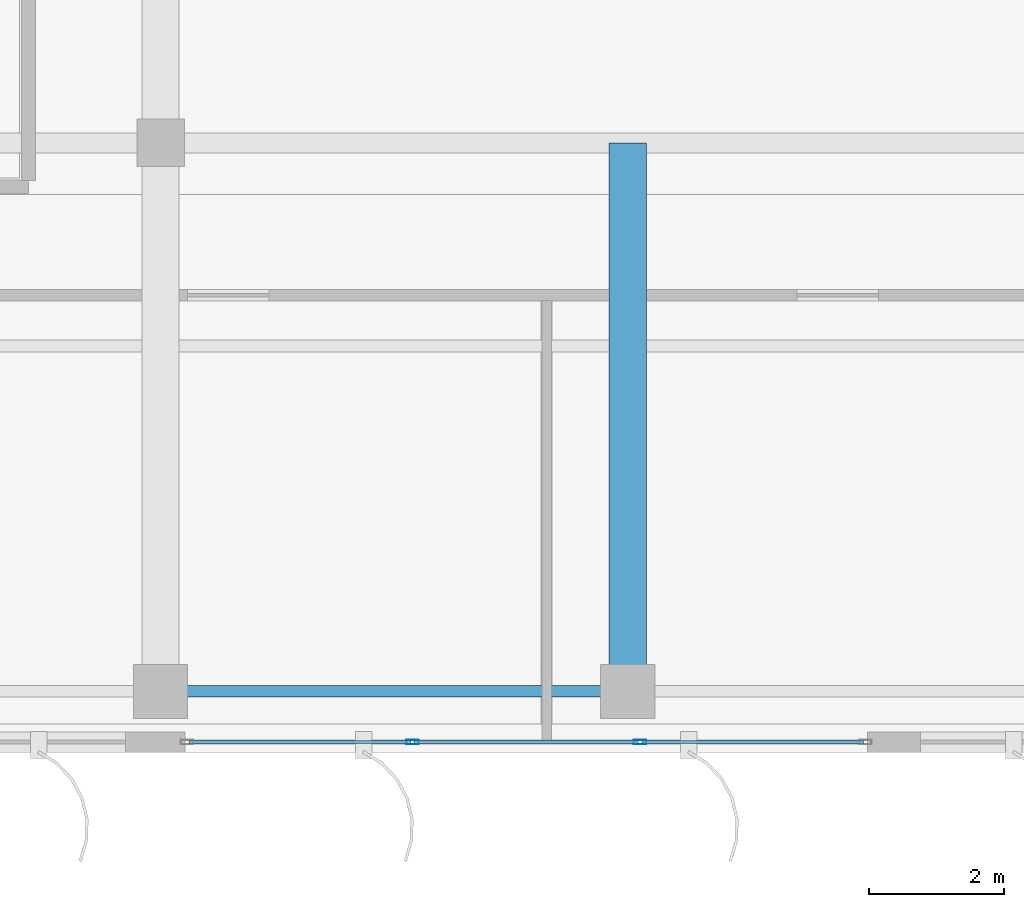
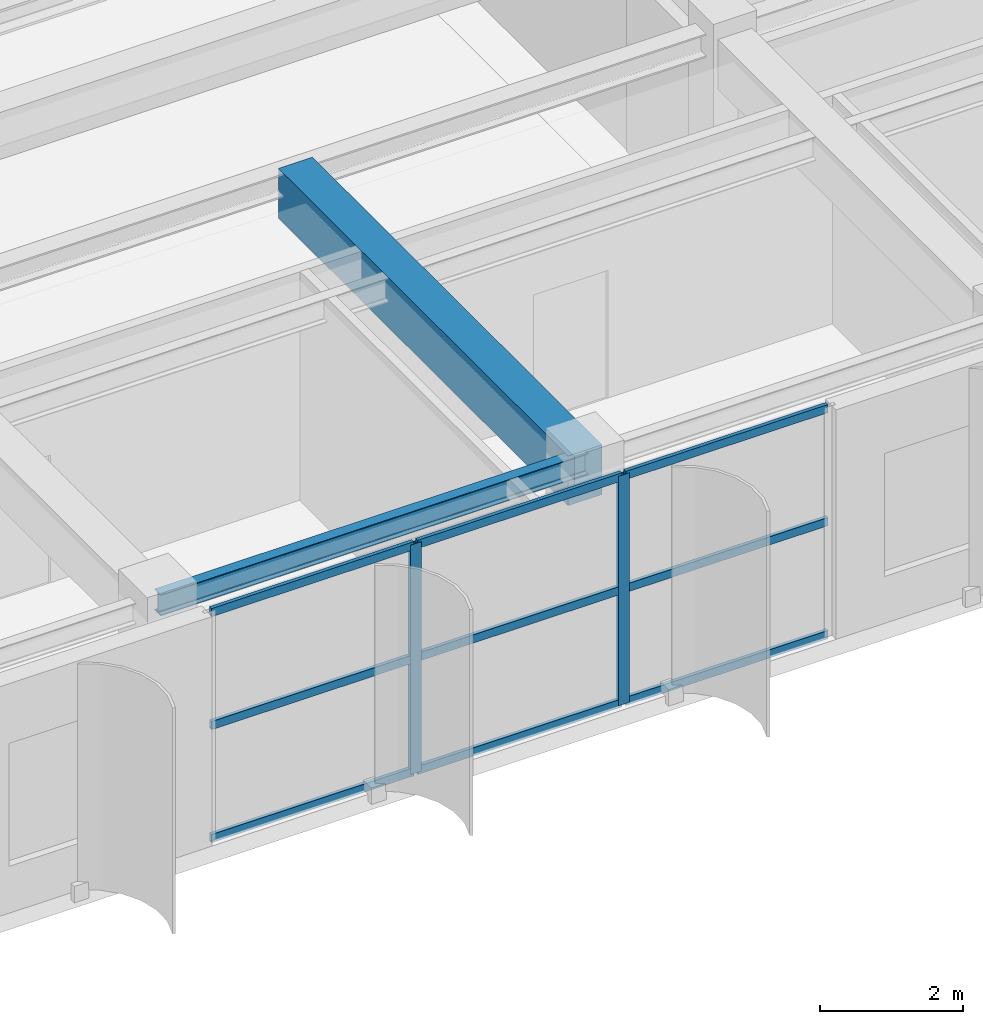
# One storey, part 5 of 26: 11 members, 2 beams, 1 element without a shape of its own.
"""IFC4 building model written with IfcOpenShell, lengths in metres."""

from ifc_helpers import new_model, si_unit, direction, frame, origin, origin_2d, place, context, subcontext, project, spatial, rectangle, hollow_rectangle, i_section, extrude, source, transform, mapped, material, layer, layer_set, material_profile, profile_set, type_object, element, aggregate, save


model = new_model("IFC4")

# Units and contexts
model_context = context("Model", 3, precision=1e-05, world=origin(), true_north=direction((0.0, 1.0)))
body_context = subcontext(model_context, "Body", "Model", "MODEL_VIEW")
ifc_project = project(units=[si_unit("LENGTHUNIT", "METRE"), si_unit("AREAUNIT", "SQUARE_METRE"), si_unit("VOLUMEUNIT", "CUBIC_METRE"), si_unit("PLANEANGLEUNIT", "RADIAN"), si_unit("MASSUNIT", "GRAM", prefix="KILO")], contexts=[model_context])

# Site, building, storey
site_placement = place(None, origin())
site = spatial("IfcSite", under=ifc_project, at=site_placement, CompositionType="ELEMENT")
building_placement = place(site_placement, origin())
building = spatial("IfcBuilding", under=site, at=building_placement, Name="Khoralis Quay Care Tower", CompositionType="ELEMENT")
storey_placement = place(building_placement, frame((0.0, 0.0, 289.5)))
storey = spatial("IfcBuildingStorey", under=building, at=storey_placement, Name="L76", CompositionType="ELEMENT", Elevation=289.5)

# Beams
ifc_material_1 = material(Name="Concrete C50/60", Category="concrete")
ifc_material_profile_1 = material_profile(ifc_material_1, rectangle(XDim=0.550048828125, YDim=0.85009765625, at=origin_2d()), Name="Concrete C50/60")
ifc_profile_set_1 = profile_set([ifc_material_profile_1], Name="Concrete C50/60")
beam_type_1 = type_object("IfcBeamType", Name="BM-RC550X850", PredefinedType="BEAM", material=ifc_profile_set_1)
shared_shape_1 = source(origin(), body_context, "Body", "SweptSolid", [
    extrude(rectangle(XDim=0.550048828125, YDim=0.85009765625, at=origin_2d()), origin(), (0.0, 0.0, 1.0), 8.10009765625),
])
beam_1_placement = place(storey_placement, frame((24.0, 3.89990234375, 3.4951171875), z_axis=(0.0, 1.0, 0.0), x_axis=(-1.0, 0.0, 0.0)))
element("IfcBeam", 1, at=beam_1_placement, inside=storey, type_object=beam_type_1, Name="BM-TGYS-L76-240", PredefinedType="BEAM", context=body_context, shape_type="MappedRepresentation", body=[
    mapped(shared_shape_1, transform((0.0, 0.0, 0.0), scale=1.0)),
])
ifc_material_2 = material(Name="Steel S355", Category="steel")
ifc_material_profile_2 = material_profile(ifc_material_2, i_section(OverallWidth=0.169921875, OverallDepth=0.360107421875, WebThickness=0.008056640625, FlangeThickness=0.0126953125, FilletRadius=0.01806640625, at=origin_2d()), Name="Steel S355")
ifc_profile_set_2 = profile_set([ifc_material_profile_2], Name="Steel S355")
beam_type_2 = type_object("IfcBeamType", Name="BM-IPE360", PredefinedType="SPANDREL", material=ifc_profile_set_2)
shared_shape_2 = source(origin(), body_context, "Body", "SweptSolid", [
    extrude(i_section(OverallWidth=0.169921875, OverallDepth=0.360107421875, WebThickness=0.008056640625, FlangeThickness=0.0126953125, FilletRadius=0.01806640625, at=origin_2d()), origin(), (0.0, 0.0, 1.0), 6.89990234375),
])
beam_2_placement = place(storey_placement, frame((17.10009765625, 3.89990234375, 3.739990234375), z_axis=(1.0, 0.0, 0.0), x_axis=(0.0, 1.0, 0.0)))
element("IfcBeam", 2, at=beam_2_placement, inside=storey, type_object=beam_type_2, Name="BM-TSP-L76-02", PredefinedType="SPANDREL", context=body_context, shape_type="MappedRepresentation", body=[
    mapped(shared_shape_2, transform((0.0, 0.0, 0.0), scale=1.0)),
])

# Curtain wall, members
ifc_material_3 = material(Name="Pale anodised aluminium", Category="aluminium")
ifc_layer = layer(ifc_material_3, 0.159912109375)
ifc_layer_set = layer_set([ifc_layer], Name="Pale anodised aluminium")
curtain_wall_type = type_object("IfcCurtainWallType", Name="CW-SYS-Z3", PredefinedType="NOTDEFINED", material=ifc_layer_set)
curtain_wall_placement = place(storey_placement, origin())
curtain_wall = element("IfcCurtainWall", 3, at=curtain_wall_placement, inside=storey, type_object=curtain_wall_type, Name="L76 Unitised Curtain Wall CW-L76-P1-E0", PredefinedType="NOTDEFINED")
ifc_material_profile_3 = material_profile(ifc_material_3, hollow_rectangle(XDim=0.06005859375, YDim=0.139892578125, WallThickness=0.00390625, at=origin_2d()), Name="Pale anodised aluminium")
ifc_profile_set_3 = profile_set([ifc_material_profile_3], Name="Pale anodised aluminium")
member_type_1 = type_object("IfcMemberType", Name="CW-TRN-140", PredefinedType="USERDEFINED", material=ifc_profile_set_3)
shared_shape_3 = source(origin(), body_context, "Body", "SweptSolid", [
    extrude(hollow_rectangle(XDim=0.06005859375, YDim=0.139892578125, WallThickness=0.00390625, at=origin_2d()), origin(), (0.0, 0.0, 1.0), 3.27001953125),
])
member_1_placement = place(storey_placement, frame((17.52001953125, 3.14990234375, 0.030029296875), z_axis=(1.0, 0.0, 0.0), x_axis=(0.0, 1.0, 0.0)))
member_1 = element("IfcMember", 4, at=member_1_placement, type_object=member_type_1, Name="CW3 transom 1.1", ObjectType="TRANSOM", PredefinedType="USERDEFINED", context=body_context, shape_type="MappedRepresentation", body=[
    mapped(shared_shape_3, transform((0.0, 0.0, 0.0), scale=1.0)),
])
member_2_placement = place(storey_placement, frame((17.52001953125, 3.14990234375, 1.9599609375), z_axis=(1.0, 0.0, 0.0), x_axis=(0.0, 1.0, 0.0)))
member_2 = element("IfcMember", 5, at=member_2_placement, type_object=member_type_1, Name="CW3 transom 1.2", ObjectType="TRANSOM", PredefinedType="USERDEFINED", context=body_context, shape_type="MappedRepresentation", body=[
    mapped(shared_shape_3, transform((0.0, 0.0, 0.0), scale=1.0)),
])
member_3_placement = place(storey_placement, frame((17.52001953125, 3.14990234375, 3.889892578125), z_axis=(1.0, 0.0, 0.0), x_axis=(0.0, 1.0, 0.0)))
member_3 = element("IfcMember", 6, at=member_3_placement, type_object=member_type_1, Name="CW3 transom 1.3", ObjectType="TRANSOM", PredefinedType="USERDEFINED", context=body_context, shape_type="MappedRepresentation", body=[
    mapped(shared_shape_3, transform((0.0, 0.0, 0.0), scale=1.0)),
])
member_4_placement = place(storey_placement, frame((24.2099609375, 3.14990234375, 0.030029296875), z_axis=(1.0, 0.0, 0.0), x_axis=(0.0, 1.0, 0.0)))
member_4 = element("IfcMember", 7, at=member_4_placement, type_object=member_type_1, Name="CW3 transom 3.1", ObjectType="TRANSOM", PredefinedType="USERDEFINED", context=body_context, shape_type="MappedRepresentation", body=[
    mapped(shared_shape_3, transform((0.0, 0.0, 0.0), scale=1.0)),
])
member_5_placement = place(storey_placement, frame((24.2099609375, 3.14990234375, 1.9599609375), z_axis=(1.0, 0.0, 0.0), x_axis=(0.0, 1.0, 0.0)))
member_5 = element("IfcMember", 8, at=member_5_placement, type_object=member_type_1, Name="CW3 transom 3.2", ObjectType="TRANSOM", PredefinedType="USERDEFINED", context=body_context, shape_type="MappedRepresentation", body=[
    mapped(shared_shape_3, transform((0.0, 0.0, 0.0), scale=1.0)),
])
member_6_placement = place(storey_placement, frame((24.2099609375, 3.14990234375, 3.889892578125), z_axis=(1.0, 0.0, 0.0), x_axis=(0.0, 1.0, 0.0)))
member_6 = element("IfcMember", 9, at=member_6_placement, type_object=member_type_1, Name="CW3 transom 3.3", ObjectType="TRANSOM", PredefinedType="USERDEFINED", context=body_context, shape_type="MappedRepresentation", body=[
    mapped(shared_shape_3, transform((0.0, 0.0, 0.0), scale=1.0)),
])
shared_shape_4 = source(origin(), body_context, "Body", "SweptSolid", [
    extrude(hollow_rectangle(XDim=0.06005859375, YDim=0.139892578125, WallThickness=0.00390625, at=origin_2d()), origin(), (0.0, 0.0, 1.0), 3.2998046875),
])
member_7_placement = place(storey_placement, frame((20.85009765625, 3.14990234375, 0.030029296875), z_axis=(1.0, 0.0, 0.0), x_axis=(0.0, 1.0, 0.0)))
member_7 = element("IfcMember", 10, at=member_7_placement, type_object=member_type_1, Name="CW3 transom 2.1", ObjectType="TRANSOM", PredefinedType="USERDEFINED", context=body_context, shape_type="MappedRepresentation", body=[
    mapped(shared_shape_4, transform((0.0, 0.0, 0.0), scale=1.0)),
])
member_8_placement = place(storey_placement, frame((20.85009765625, 3.14990234375, 1.9599609375), z_axis=(1.0, 0.0, 0.0), x_axis=(0.0, 1.0, 0.0)))
member_8 = element("IfcMember", 11, at=member_8_placement, type_object=member_type_1, Name="CW3 transom 2.2", ObjectType="TRANSOM", PredefinedType="USERDEFINED", context=body_context, shape_type="MappedRepresentation", body=[
    mapped(shared_shape_4, transform((0.0, 0.0, 0.0), scale=1.0)),
])
member_9_placement = place(storey_placement, frame((20.85009765625, 3.14990234375, 3.889892578125), z_axis=(1.0, 0.0, 0.0), x_axis=(0.0, 1.0, 0.0)))
member_9 = element("IfcMember", 12, at=member_9_placement, type_object=member_type_1, Name="CW3 transom 2.3", ObjectType="TRANSOM", PredefinedType="USERDEFINED", context=body_context, shape_type="MappedRepresentation", body=[
    mapped(shared_shape_4, transform((0.0, 0.0, 0.0), scale=1.0)),
])
ifc_material_profile_4 = material_profile(ifc_material_3, hollow_rectangle(XDim=0.06494140625, YDim=0.179931640625, WallThickness=0.00390625, at=origin_2d()), Name="Pale anodised aluminium")
ifc_profile_set_4 = profile_set([ifc_material_profile_4], Name="Pale anodised aluminium")
member_type_2 = type_object("IfcMemberType", Name="CW-MUL-180", PredefinedType="MULLION", material=ifc_profile_set_4)
shared_shape_5 = source(origin(), body_context, "Body", "SweptSolid", [
    extrude(hollow_rectangle(XDim=0.06494140625, YDim=0.179931640625, WallThickness=0.00390625, at=origin_2d()), origin(), (0.0, 0.0, 1.0), 3.919921875),
])
member_10_placement = place(storey_placement, frame((20.820068359375, 3.14990234375, 0.0), z_axis=(0.0, 0.0, 1.0), x_axis=(0.0, 1.0, 0.0)))
member_10 = element("IfcMember", 13, at=member_10_placement, type_object=member_type_2, Name="CW3 mullion 2", PredefinedType="MULLION", context=body_context, shape_type="MappedRepresentation", body=[
    mapped(shared_shape_5, transform((0.0, 0.0, 0.0), scale=1.0)),
])
member_11_placement = place(storey_placement, frame((24.179931640625, 3.14990234375, 0.0), z_axis=(0.0, 0.0, 1.0), x_axis=(0.0, 1.0, 0.0)))
member_11 = element("IfcMember", 14, at=member_11_placement, type_object=member_type_2, Name="CW3 mullion 3", PredefinedType="MULLION", context=body_context, shape_type="MappedRepresentation", body=[
    mapped(shared_shape_5, transform((0.0, 0.0, 0.0), scale=1.0)),
])
aggregate(curtain_wall, [member_10, member_11, member_1, member_2, member_3, member_7, member_8, member_9, member_4, member_5, member_6])

save(model, "model.ifc")
